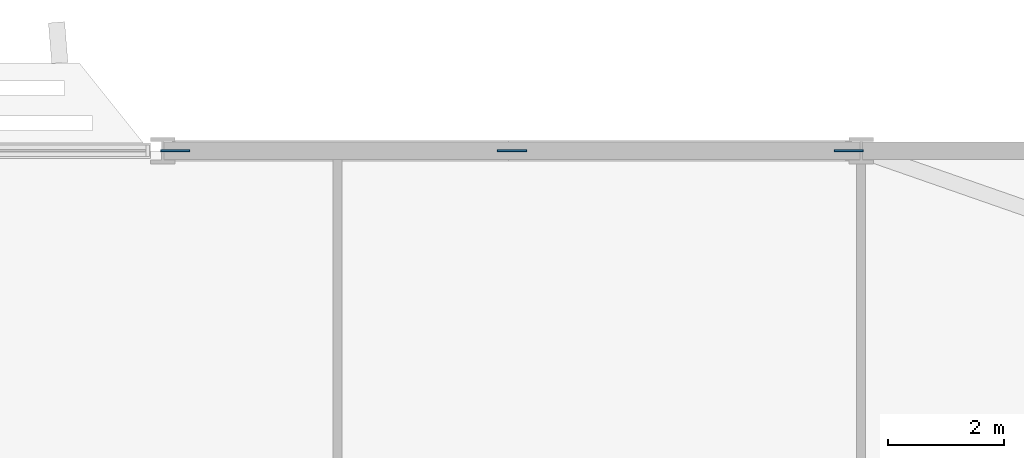
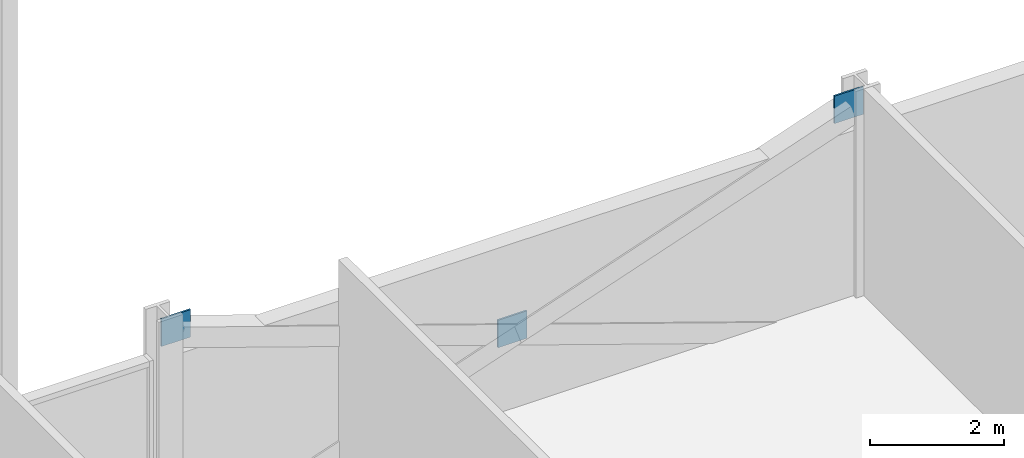
# One storey, part 22 of 31: 3 discrete accessories.
"""IFC4 building model written with IfcOpenShell, lengths in metres."""

from ifc_helpers import new_model, si_unit, direction, frame, origin, origin_2d, place, context, subcontext, project, spatial, rectangle, extrude, material, layer, layer_set, type_object, element, save


model = new_model("IFC4")

# Units and contexts
model_context = context("Model", 3, precision=1e-05, world=origin(), true_north=direction((0.0, 1.0)))
body_context = subcontext(model_context, "Body", "Model", "MODEL_VIEW")
ifc_project = project(units=[si_unit("LENGTHUNIT", "METRE"), si_unit("AREAUNIT", "SQUARE_METRE"), si_unit("VOLUMEUNIT", "CUBIC_METRE"), si_unit("PLANEANGLEUNIT", "RADIAN"), si_unit("MASSUNIT", "GRAM", prefix="KILO")], contexts=[model_context])

# Site, building, storey
site_placement = place(None, origin())
site = spatial("IfcSite", under=ifc_project, at=site_placement, CompositionType="ELEMENT")
building_placement = place(site_placement, origin())
building = spatial("IfcBuilding", under=site, at=building_placement, Name="Mahtab Terrace Research Tower", CompositionType="ELEMENT")
storey_placement = place(building_placement, frame((0.0, 0.0, 101.199951171875)))
storey = spatial("IfcBuildingStorey", under=building, at=storey_placement, Name="L23", CompositionType="ELEMENT", Elevation=101.199951171875)

# Discrete accessories
ifc_material = material(Name="Steel ASTM A992 Gr 50", Category="steel")
ifc_layer = layer(ifc_material, 0.030029296875)
ifc_layer_set = layer_set([ifc_layer], Name="Gusset plate 500x500x30")
discrete_accessory_type = type_object("IfcDiscreteAccessoryType", Name="Gusset plate 500x500x30", PredefinedType="USERDEFINED", material=ifc_layer_set)
for number, where, z_axis, x_axis, name in (
    (1, (30.209716796875, 29.0, 3.131591796875), (0.0, 0.0, 1.0), (1.0, 0.0, 0.0), "Gusset plate"),
    (2, (36.0, 29.0, 1.08154296875), (0.0, 0.0, 1.0), (1.0, 0.0, 0.0), "Gusset plate"),
    (3, (41.790283203125, 29.0, 3.131591796875), (0.0, 0.0, 1.0), (1.0, 0.0, 0.0), "Gusset plate"),
):
    element("IfcDiscreteAccessory", number, at=place(storey_placement, frame(where, z_axis=z_axis, x_axis=x_axis)), inside=storey, type_object=discrete_accessory_type, Name=name, ObjectType="GUSSET PLATE", PredefinedType="USERDEFINED", context=body_context, shape_type="SweptSolid", body=[
        extrude(rectangle(XDim=0.5, YDim=0.030029296875, at=origin_2d()), origin(), (0.0, 0.0, 1.0), 0.5),
    ])

save(model, "model.ifc")
